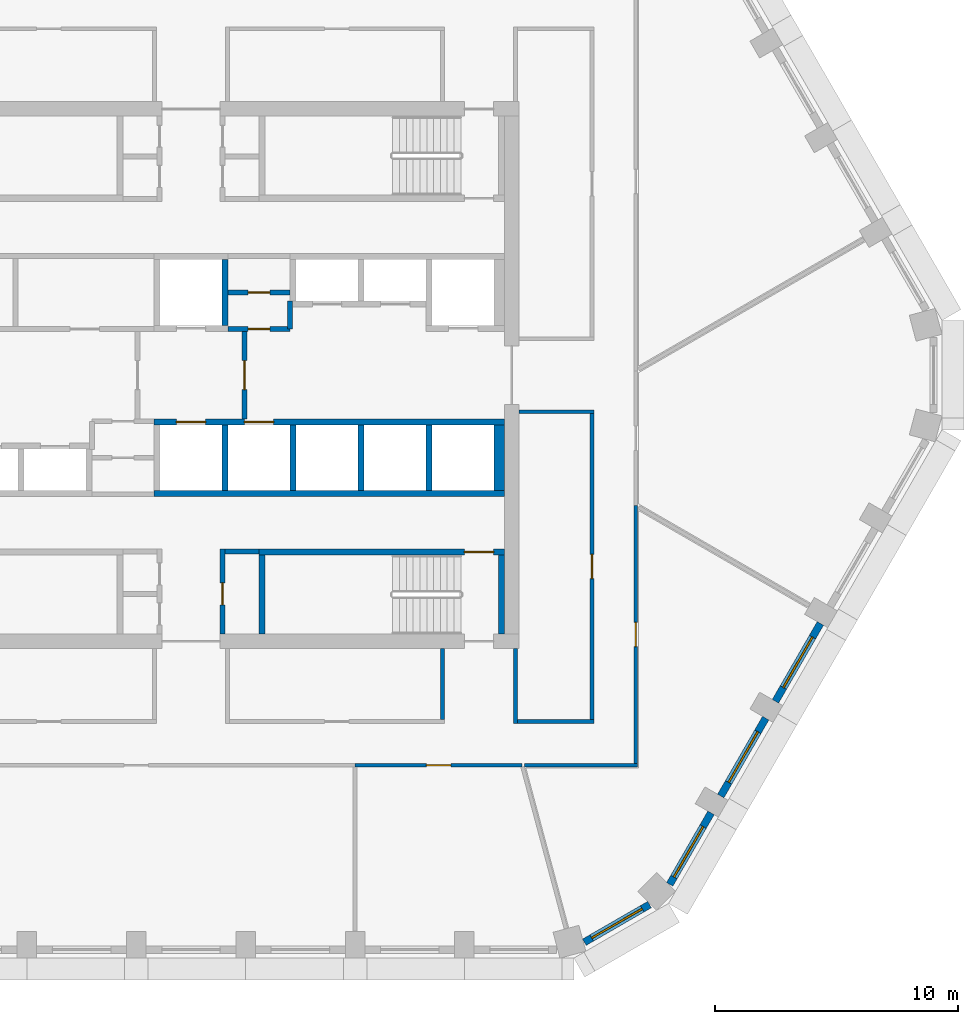
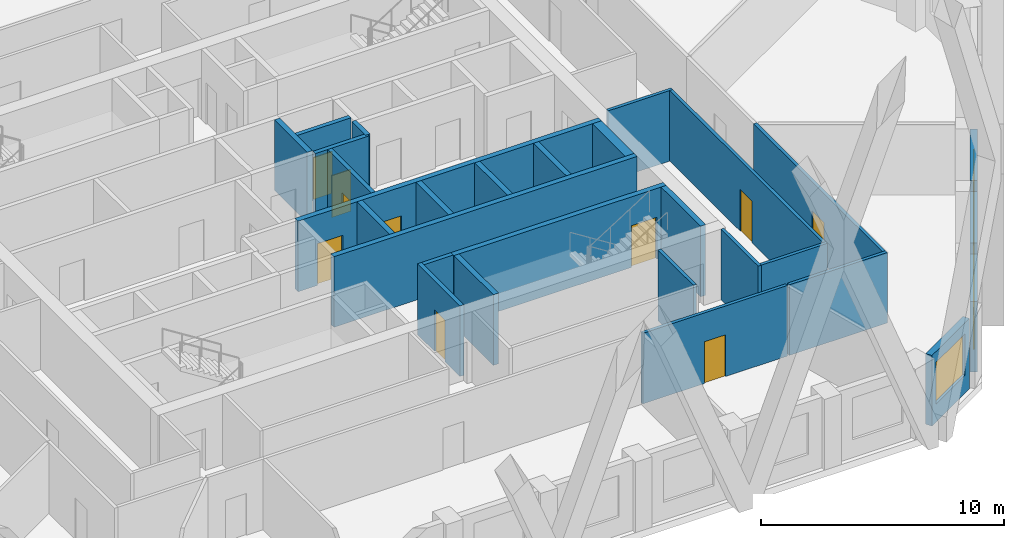
# One storey, part 4 of 16: 29 walls, 10 doors, 4 windows, 14 openings.
"""IFC4 building model written with IfcOpenShell, lengths in metres."""

from ifc_helpers import new_model, si_unit, direction, frame, frame_2d, origin, place, context, subcontext, project, spatial, polyline, rectangle, outline, extrude, material, layer, layer_set, type_object, element, fill, save


model = new_model("IFC4")

# Units and contexts
model_context = context("Model", 3, precision=1e-05, world=origin(), true_north=direction((0.0, 1.0)))
body_context = subcontext(model_context, "Body", "Model", "MODEL_VIEW")
ifc_project = project(units=[si_unit("LENGTHUNIT", "METRE"), si_unit("AREAUNIT", "SQUARE_METRE"), si_unit("VOLUMEUNIT", "CUBIC_METRE"), si_unit("PLANEANGLEUNIT", "RADIAN"), si_unit("MASSUNIT", "GRAM", prefix="KILO")], contexts=[model_context])

# Site, building, storey
site_placement = place(None, origin())
site = spatial("IfcSite", under=ifc_project, at=site_placement, CompositionType="ELEMENT")
building_placement = place(site_placement, origin())
building = spatial("IfcBuilding", under=site, at=building_placement, Name="Dhurran Vertical Campus", CompositionType="ELEMENT")
storey_placement = place(building_placement, frame((0.0, 0.0, 183.89990234375)))
storey = spatial("IfcBuildingStorey", under=building, at=storey_placement, Name="L45", CompositionType="ELEMENT", Elevation=183.89990234375)

# Wall, opening, window
ifc_material_1 = material(Name="Precast concrete C50/60", Category="concrete")
ifc_layer_1 = layer(ifc_material_1, 0.300048828125)
ifc_layer_set_1 = layer_set([ifc_layer_1], Name="Precast concrete C50/60")
wall_type_1 = type_object("IfcWallType", Name="Precast spandrel wall 300", PredefinedType="SOLIDWALL", material=ifc_layer_set_1)
wall_1_placement = place(storey_placement, frame((16.184326171875, -23.330810546875, 0.0), z_axis=(0.0, 0.0, 1.0), x_axis=(0.865994975416, 0.500052699777, 0.0)))
wall_1 = element("IfcWall", 1, at=wall_1_placement, inside=storey, type_object=wall_type_1, Name="EW1 L45.07", PredefinedType="SOLIDWALL", context=body_context, shape_type="SweptSolid", body=[
    extrude(rectangle(XDim=3.093017578125, YDim=0.300048828125, at=frame_2d((1.54638671875, 0.0))), origin(), (0.0, 0.0, 1.0), 3.550048828125),
])
opening_1_placement = place(wall_1_placement, frame((0.346435546875, 0.0, 0.89990234375)))
opening_1 = element("IfcOpeningElement", 2, at=opening_1_placement, cuts=wall_1, Name="Opening WT1", PredefinedType="OPENING", context=body_context, shape_type="SweptSolid", body=[
    extrude(rectangle(XDim=2.39990234375, YDim=2.10009765625, at=frame_2d((1.199951171875, 1.050048828125))), frame((0.0, 0.159912109375, 0.0), z_axis=(0.0, -1.0, 0.0), x_axis=(1.0, 0.0, 0.0)), (0.0, 0.0, 1.0), 0.320068359375),
])
ifc_material_2 = material(Name="Aluminium frame with solar-control glass", Category="aluminium")
window_type = type_object("IfcWindowType", Name="Punched window 2400 x 2100", PartitioningType="SINGLE_PANEL", PredefinedType="WINDOW", material=ifc_material_2)
window_1_placement = place(opening_1_placement, origin())
window_1 = element("IfcWindow", 3, at=window_1_placement, inside=storey, type_object=window_type, Name="WT1 L45.07", OverallHeight=2.10009765625, OverallWidth=2.39990234375, PartitioningType="SINGLE_PANEL", PredefinedType="WINDOW", context=body_context, shape_type="SweptSolid", body=[
    extrude(rectangle(XDim=2.39990234375, YDim=2.10009765625, at=frame_2d((1.199951171875, 1.050048828125))), frame((0.0, 0.030029296875, 0.0), z_axis=(0.0, -1.0, 0.0), x_axis=(1.0, 0.0, 0.0)), (0.0, 0.0, 1.0), 0.06005859375),
])
fill(opening_1, window_1)

wall_2_placement = place(storey_placement, frame((19.69580078125, -20.951171875, 0.0), z_axis=(0.0, 0.0, 1.0), x_axis=(0.500012868213, 0.866017974191, 0.0)))
wall_2 = element("IfcWall", 4, at=wall_2_placement, inside=storey, type_object=wall_type_1, Name="EW1 L45.08", PredefinedType="SOLIDWALL", context=body_context, shape_type="SweptSolid", body=[
    extrude(rectangle(XDim=3.39599609375, YDim=0.300048828125, at=frame_2d((1.697998046875, 0.0))), origin(), (0.0, 0.0, 1.0), 3.550048828125),
])
opening_2_placement = place(wall_2_placement, frame((0.346435546875, 0.0, 0.89990234375)))
opening_2 = element("IfcOpeningElement", 5, at=opening_2_placement, cuts=wall_2, Name="Opening WT1", PredefinedType="OPENING", context=body_context, shape_type="SweptSolid", body=[
    extrude(rectangle(XDim=2.39990234375, YDim=2.10009765625, at=frame_2d((1.199951171875, 1.050048828125))), frame((0.0, 0.159912109375, 0.0), z_axis=(0.0, -1.0, 0.0), x_axis=(1.0, 0.0, 0.0)), (0.0, 0.0, 1.0), 0.320068359375),
])
window_2_placement = place(opening_2_placement, origin())
window_2 = element("IfcWindow", 6, at=window_2_placement, inside=storey, type_object=window_type, Name="WT1 L45.08", OverallHeight=2.10009765625, OverallWidth=2.39990234375, PartitioningType="SINGLE_PANEL", PredefinedType="WINDOW", context=body_context, shape_type="SweptSolid", body=[
    extrude(rectangle(XDim=2.39990234375, YDim=2.10009765625, at=frame_2d((1.199951171875, 1.050048828125))), frame((0.0, 0.030029296875, 0.0), z_axis=(0.0, -1.0, 0.0), x_axis=(1.0, 0.0, 0.0)), (0.0, 0.0, 1.0), 0.06005859375),
])
fill(opening_2, window_2)

wall_3_placement = place(storey_placement, frame((21.794189453125, -17.316650390625, 0.0), z_axis=(0.0, 0.0, 1.0), x_axis=(0.500029062817, 0.866008623709, 0.0)))
wall_3 = element("IfcWall", 7, at=wall_3_placement, inside=storey, type_object=wall_type_1, Name="EW1 L45.09", PredefinedType="SOLIDWALL", context=body_context, shape_type="SweptSolid", body=[
    extrude(rectangle(XDim=3.698974609375, YDim=0.300048828125, at=frame_2d((1.849609375, 0.0))), origin(), (0.0, 0.0, 1.0), 3.550048828125),
])
opening_3_placement = place(wall_3_placement, frame((0.6494140625, 0.0, 0.89990234375)))
opening_3 = element("IfcOpeningElement", 8, at=opening_3_placement, cuts=wall_3, Name="Opening WT1", PredefinedType="OPENING", context=body_context, shape_type="SweptSolid", body=[
    extrude(rectangle(XDim=2.39990234375, YDim=2.10009765625, at=frame_2d((1.199951171875, 1.050048828125))), frame((0.0, 0.159912109375, 0.0), z_axis=(0.0, -1.0, 0.0), x_axis=(1.0, 0.0, 0.0)), (0.0, 0.0, 1.0), 0.320068359375),
])
window_3_placement = place(opening_3_placement, origin())
window_3 = element("IfcWindow", 9, at=window_3_placement, inside=storey, type_object=window_type, Name="WT1 L45.09", OverallHeight=2.10009765625, OverallWidth=2.39990234375, PartitioningType="SINGLE_PANEL", PredefinedType="WINDOW", context=body_context, shape_type="SweptSolid", body=[
    extrude(rectangle(XDim=2.39990234375, YDim=2.10009765625, at=frame_2d((1.199951171875, 1.050048828125))), frame((0.0, 0.030029296875, 0.0), z_axis=(0.0, -1.0, 0.0), x_axis=(1.0, 0.0, 0.0)), (0.0, 0.0, 1.0), 0.06005859375),
])
fill(opening_3, window_3)

wall_4_placement = place(storey_placement, frame((24.044189453125, -13.41943359375, 0.0), z_axis=(0.0, 0.0, 1.0), x_axis=(0.500029062817, 0.866008623709, 0.0)))
wall_4 = element("IfcWall", 10, at=wall_4_placement, inside=storey, type_object=wall_type_1, Name="EW1 L45.10", PredefinedType="SOLIDWALL", context=body_context, shape_type="SweptSolid", body=[
    extrude(rectangle(XDim=3.698974609375, YDim=0.300048828125, at=frame_2d((1.849609375, 0.0))), origin(), (0.0, 0.0, 1.0), 3.550048828125),
])
opening_4_placement = place(wall_4_placement, frame((0.6494140625, 0.0, 0.89990234375)))
opening_4 = element("IfcOpeningElement", 11, at=opening_4_placement, cuts=wall_4, Name="Opening WT1", PredefinedType="OPENING", context=body_context, shape_type="SweptSolid", body=[
    extrude(rectangle(XDim=2.39990234375, YDim=2.10009765625, at=frame_2d((1.199951171875, 1.050048828125))), frame((0.0, 0.159912109375, 0.0), z_axis=(0.0, -1.0, 0.0), x_axis=(1.0, 0.0, 0.0)), (0.0, 0.0, 1.0), 0.320068359375),
])
window_4_placement = place(opening_4_placement, origin())
window_4 = element("IfcWindow", 12, at=window_4_placement, inside=storey, type_object=window_type, Name="WT1 L45.10", OverallHeight=2.10009765625, OverallWidth=2.39990234375, PartitioningType="SINGLE_PANEL", PredefinedType="WINDOW", context=body_context, shape_type="SweptSolid", body=[
    extrude(rectangle(XDim=2.39990234375, YDim=2.10009765625, at=frame_2d((1.199951171875, 1.050048828125))), frame((0.0, 0.030029296875, 0.0), z_axis=(0.0, -1.0, 0.0), x_axis=(1.0, 0.0, 0.0)), (0.0, 0.0, 1.0), 0.06005859375),
])
fill(opening_4, window_4)

# Wall, opening, door
ifc_material_3 = material(Name="Fire-rated masonry blockwork", Category="masonry")
ifc_layer_2 = layer(ifc_material_3, 0.199951171875)
ifc_layer_set_2 = layer_set([ifc_layer_2], Name="Fire-rated masonry blockwork")
wall_type_2 = type_object("IfcWallType", Name="co-FIRE-PARTITION-200", PredefinedType="PARTITIONING", material=ifc_layer_set_2)
wall_5_placement = place(storey_placement, frame((2.199951171875, -1.800048828125, 0.0), z_axis=(0.0, 0.0, 1.0), x_axis=(0.0, 1.0, 0.0)))
wall_5 = element("IfcWall", 13, at=wall_5_placement, inside=storey, type_object=wall_type_2, Name="Firefighting lobby wall E L45", PredefinedType="PARTITIONING", context=body_context, shape_type="SweptSolid", body=[
    extrude(rectangle(XDim=3.60009765625, YDim=0.199951171875, at=frame_2d((1.800048828125, 0.0))), origin(), (0.0, 0.0, 1.0), 3.550048828125),
])
opening_5_placement = place(wall_5_placement, frame((1.199951171875, 0.0, 0.0)))
opening_5 = element("IfcOpeningElement", 14, at=opening_5_placement, cuts=wall_5, Name="Opening FL2", PredefinedType="OPENING", context=body_context, shape_type="SweptSolid", body=[
    extrude(rectangle(XDim=1.199951171875, YDim=2.10009765625, at=frame_2d((0.60009765625, 1.050048828125))), frame((0.0, 0.10986328125, 0.0), z_axis=(0.0, -1.0, 0.0), x_axis=(1.0, 0.0, 0.0)), (0.0, 0.0, 1.0), 0.219970703125),
])
ifc_material_4 = material(Name="Fire-rated steel door set", Category="steel")
door_type_1 = type_object("IfcDoorType", Name="co-D-FFLOBBY 1200x2100", OperationType="SINGLE_SWING_LEFT", PredefinedType="DOOR", material=ifc_material_4)
door_1_placement = place(opening_5_placement, origin())
door_1 = element("IfcDoor", 15, at=door_1_placement, inside=storey, type_object=door_type_1, Name="Firefighting lobby door E L45", OperationType="SINGLE_SWING_LEFT", OverallHeight=2.10009765625, OverallWidth=1.199951171875, PredefinedType="DOOR", context=body_context, shape_type="SweptSolid", body=[
    extrude(rectangle(XDim=1.199951171875, YDim=2.10009765625, at=frame_2d((0.60009765625, 1.050048828125))), frame((0.0, 0.02490234375, 0.0), z_axis=(0.0, -1.0, 0.0), x_axis=(1.0, 0.0, 0.0)), (0.0, 0.0, 1.0), 0.050048828125),
])
fill(opening_5, door_1)

# Wall
wall_6_placement = place(storey_placement, frame((1.39990234375, -7.25, 0.0), z_axis=(0.0, 0.0, 1.0), x_axis=(1.0, 0.0, 0.0)))
element("IfcWall", 16, at=wall_6_placement, inside=storey, type_object=wall_type_2, Name="Core partition sl-SE-S L45", PredefinedType="PARTITIONING", context=body_context, shape_type="SweptSolid", body=[
    extrude(rectangle(XDim=1.400146484375, YDim=0.199951171875, at=frame_2d((0.7001953125, 0.0))), origin(), (0.0, 0.0, 1.0), 3.550048828125),
])

# Wall, opening, door
wall_7_placement = place(storey_placement, frame((1.300048828125, -10.64990234375, 0.0), z_axis=(0.0, 0.0, 1.0), x_axis=(0.0, 1.0, 0.0)))
wall_7 = element("IfcWall", 17, at=wall_7_placement, inside=storey, type_object=wall_type_2, Name="Core partition vest-SE L45", PredefinedType="PARTITIONING", context=body_context, shape_type="SweptSolid", body=[
    extrude(rectangle(XDim=3.5, YDim=0.199951171875, at=frame_2d((1.75, 0.0))), origin(), (0.0, 0.0, 1.0), 3.550048828125),
])
opening_6_placement = place(wall_7_placement, frame((1.199951171875, 0.0, 0.0)))
opening_6 = element("IfcOpeningElement", 18, at=opening_6_placement, cuts=wall_7, Name="Opening T13-C3", PredefinedType="OPENING", context=body_context, shape_type="SweptSolid", body=[
    extrude(rectangle(XDim=0.89990234375, YDim=2.10009765625, at=frame_2d((0.449951171875, 1.050048828125))), frame((0.0, 0.10986328125, 0.0), z_axis=(0.0, -1.0, 0.0), x_axis=(1.0, 0.0, 0.0)), (0.0, 0.0, 1.0), 0.219970703125),
])
ifc_material_5 = material(Name="Fire-rated timber door set", Category="wood")
door_type_2 = type_object("IfcDoorType", Name="co-D-ROOM 900x2100", OperationType="SINGLE_SWING_LEFT", PredefinedType="DOOR", material=ifc_material_5)
door_2_placement = place(opening_6_placement, origin())
door_2 = element("IfcDoor", 19, at=door_2_placement, inside=storey, type_object=door_type_2, Name="Cleaner's store door L45", OperationType="SINGLE_SWING_LEFT", OverallHeight=2.10009765625, OverallWidth=0.89990234375, PredefinedType="DOOR", context=body_context, shape_type="SweptSolid", body=[
    extrude(rectangle(XDim=0.89990234375, YDim=2.10009765625, at=frame_2d((0.449951171875, 1.050048828125))), frame((0.0, 0.02490234375, 0.0), z_axis=(0.0, -1.0, 0.0), x_axis=(1.0, 0.0, 0.0)), (0.0, 0.0, 1.0), 0.050048828125),
])
fill(opening_6, door_2)

wall_8_placement = place(storey_placement, frame((1.52490234375, 3.39990234375, 0.0), z_axis=(0.0, 0.0, 1.0), x_axis=(1.0, 0.0, 0.0)))
wall_8 = element("IfcWall", 20, at=wall_8_placement, inside=storey, type_object=wall_type_2, Name="Core partition fr-N1-c L45", PredefinedType="PARTITIONING", context=body_context, shape_type="SweptSolid", body=[
    extrude(rectangle(XDim=2.550048828125, YDim=0.199951171875, at=frame_2d((1.27490234375, 0.0))), origin(), (0.0, 0.0, 1.0), 3.550048828125),
])
opening_7_placement = place(wall_8_placement, frame((0.824951171875, 0.0, 0.0)))
opening_7 = element("IfcOpeningElement", 21, at=opening_7_placement, cuts=wall_8, Name="Opening T13-C10", PredefinedType="OPENING", context=body_context, shape_type="SweptSolid", body=[
    extrude(rectangle(XDim=0.89990234375, YDim=2.10009765625, at=frame_2d((0.449951171875, 1.050048828125))), frame((0.0, 0.10986328125, 0.0), z_axis=(0.0, -1.0, 0.0), x_axis=(1.0, 0.0, 0.0)), (0.0, 0.0, 1.0), 0.219970703125),
])
door_3_placement = place(opening_7_placement, origin())
door_3 = element("IfcDoor", 22, at=door_3_placement, inside=storey, type_object=door_type_2, Name="Cleaner's store door L45", OperationType="SINGLE_SWING_LEFT", OverallHeight=2.10009765625, OverallWidth=0.89990234375, PredefinedType="DOOR", context=body_context, shape_type="SweptSolid", body=[
    extrude(rectangle(XDim=0.89990234375, YDim=2.10009765625, at=frame_2d((0.449951171875, 1.050048828125))), frame((0.0, 0.02490234375, 0.0), z_axis=(0.0, -1.0, 0.0), x_axis=(1.0, 0.0, 0.0)), (0.0, 0.0, 1.0), 0.050048828125),
])
fill(opening_7, door_3)

wall_9_placement = place(storey_placement, frame((1.52490234375, 1.89990234375, 0.0), z_axis=(0.0, 0.0, 1.0), x_axis=(1.0, 0.0, 0.0)))
wall_9 = element("IfcWall", 23, at=wall_9_placement, inside=storey, type_object=wall_type_2, Name="Core partition fr-N1-f L45", PredefinedType="PARTITIONING", context=body_context, shape_type="SweptSolid", body=[
    extrude(rectangle(XDim=2.550048828125, YDim=0.199951171875, at=frame_2d((1.27490234375, 0.0))), origin(), (0.0, 0.0, 1.0), 3.550048828125),
])
opening_8_placement = place(wall_9_placement, frame((0.824951171875, 0.0, 0.0)))
opening_8 = element("IfcOpeningElement", 24, at=opening_8_placement, cuts=wall_9, Name="Opening T13-C11", PredefinedType="OPENING", context=body_context, shape_type="SweptSolid", body=[
    extrude(rectangle(XDim=0.89990234375, YDim=2.10009765625, at=frame_2d((0.449951171875, 1.050048828125))), frame((0.0, 0.10986328125, 0.0), z_axis=(0.0, -1.0, 0.0), x_axis=(1.0, 0.0, 0.0)), (0.0, 0.0, 1.0), 0.219970703125),
])
door_4_placement = place(opening_8_placement, origin())
door_4 = element("IfcDoor", 25, at=door_4_placement, inside=storey, type_object=door_type_2, Name="Pantry door L45", OperationType="SINGLE_SWING_LEFT", OverallHeight=2.10009765625, OverallWidth=0.89990234375, PredefinedType="DOOR", context=body_context, shape_type="SweptSolid", body=[
    extrude(rectangle(XDim=0.89990234375, YDim=2.10009765625, at=frame_2d((0.449951171875, 1.050048828125))), frame((0.0, 0.02490234375, 0.0), z_axis=(0.0, -1.0, 0.0), x_axis=(1.0, 0.0, 0.0)), (0.0, 0.0, 1.0), 0.050048828125),
])
fill(opening_8, door_4)

# Wall
wall_10_placement = place(storey_placement, frame((4.074951171875, 1.89990234375, 0.0), z_axis=(0.0, 0.0, 1.0), x_axis=(0.0, 1.0, 0.0)))
element("IfcWall", 26, at=wall_10_placement, inside=storey, type_object=wall_type_2, Name="Core partition fr-N1-n1 L45", PredefinedType="PARTITIONING", context=body_context, shape_type="SweptSolid", body=[
    extrude(rectangle(XDim=1.150146484375, YDim=0.199951171875, at=frame_2d((0.5751953125, 0.0))), origin(), (0.0, 0.0, 1.0), 3.550048828125),
])

# Wall, openings, doors
ifc_material_6 = material(Name="Concrete C50/60", Category="concrete")
ifc_layer_3 = layer(ifc_material_6, 0.25)
ifc_layer_set_3 = layer_set([ifc_layer_3], Name="Concrete C50/60")
wall_type_3 = type_object("IfcWallType", Name="co-SHAFT-FRONT-250", PredefinedType="SHEAR", material=ifc_layer_set_3)
wall_11_placement = place(storey_placement, frame((-1.52490234375, -1.925048828125, 0.0), z_axis=(0.0, 0.0, 1.0), x_axis=(1.0, 0.0, 0.0)))
wall_11 = element("IfcWall", 27, at=wall_11_placement, inside=storey, type_object=wall_type_3, Name="Lift landing wall S L45", PredefinedType="SHEAR", context=body_context, shape_type="SweptSolid", body=[
    extrude(rectangle(XDim=14.4248046875, YDim=0.25, at=frame_2d((7.21240234375, 0.0))), origin(), (0.0, 0.0, 1.0), 3.550048828125),
])
opening_9_placement = place(wall_11_placement, frame((0.925048828125, 0.0, 0.0)))
opening_9 = element("IfcOpeningElement", 28, at=opening_9_placement, cuts=wall_11, Name="Opening LD", PredefinedType="OPENING", context=body_context, shape_type="SweptSolid", body=[
    extrude(rectangle(XDim=1.199951171875, YDim=2.10009765625, at=frame_2d((0.60009765625, 1.050048828125))), frame((0.0, 0.135009765625, 0.0), z_axis=(0.0, -1.0, 0.0), x_axis=(1.0, 0.0, 0.0)), (0.0, 0.0, 1.0), 0.27001953125),
])
opening_10_placement = place(wall_11_placement, frame((3.72509765625, 0.0, 0.0)))
opening_10 = element("IfcOpeningElement", 29, at=opening_10_placement, cuts=wall_11, Name="Opening LD", PredefinedType="OPENING", context=body_context, shape_type="SweptSolid", body=[
    extrude(rectangle(XDim=1.199951171875, YDim=2.10009765625, at=frame_2d((0.60009765625, 1.050048828125))), frame((0.0, 0.135009765625, 0.0), z_axis=(0.0, -1.0, 0.0), x_axis=(1.0, 0.0, 0.0)), (0.0, 0.0, 1.0), 0.27001953125),
])
ifc_material_7 = material(Name="Stainless steel landing door", Category="steel")
door_type_3 = type_object("IfcDoorType", Name="co-D-LANDING 1200x2100", OperationType="DOUBLE_DOOR_SLIDING", PredefinedType="DOOR", material=ifc_material_7)
door_5_placement = place(opening_9_placement, origin())
door_5 = element("IfcDoor", 30, at=door_5_placement, inside=storey, type_object=door_type_3, Name="Landing door FF2 L45", OperationType="DOUBLE_DOOR_SLIDING", OverallHeight=2.10009765625, OverallWidth=1.199951171875, PredefinedType="DOOR", context=body_context, shape_type="SweptSolid", body=[
    extrude(rectangle(XDim=1.199951171875, YDim=2.10009765625, at=frame_2d((0.60009765625, 1.050048828125))), frame((0.0, 0.02490234375, 0.0), z_axis=(0.0, -1.0, 0.0), x_axis=(1.0, 0.0, 0.0)), (0.0, 0.0, 1.0), 0.050048828125),
])
fill(opening_9, door_5)
door_6_placement = place(opening_10_placement, origin())
door_6 = element("IfcDoor", 31, at=door_6_placement, inside=storey, type_object=door_type_3, Name="Landing door SV1 L45", OperationType="DOUBLE_DOOR_SLIDING", OverallHeight=2.10009765625, OverallWidth=1.199951171875, PredefinedType="DOOR", context=body_context, shape_type="SweptSolid", body=[
    extrude(rectangle(XDim=1.199951171875, YDim=2.10009765625, at=frame_2d((0.60009765625, 1.050048828125))), frame((0.0, 0.02490234375, 0.0), z_axis=(0.0, -1.0, 0.0), x_axis=(1.0, 0.0, 0.0)), (0.0, 0.0, 1.0), 0.050048828125),
])
fill(opening_10, door_6)

# Walls
ifc_material_8 = material(Name="Concrete C50/60", Category="concrete")
ifc_layer_4 = layer(ifc_material_8, 0.25)
ifc_layer_set_4 = layer_set([ifc_layer_4], Name="Concrete C50/60")
wall_type_4 = type_object("IfcWallType", Name="co-SHAFT-MASS-250", PredefinedType="SHEAR", material=ifc_layer_set_4)
wall_12_placement = place(storey_placement, origin())
element("IfcWall", 32, at=wall_12_placement, inside=storey, type_object=wall_type_4, Name="Lift shaft wall N L45 4", PredefinedType="SHEAR", context=body_context, shape_type="SweptSolid", body=[
    extrude(outline(polyline([(1.27490234375, 2.050048828125), (1.52490234375, 2.050048828125), (1.52490234375, 4.75), (1.27490234375, 4.75), (1.27490234375, 2.050048828125)])), origin(), (0.0, 0.0, 1.0), 3.550048828125),
])
wall_13_placement = place(storey_placement, origin())
element("IfcWall", 33, at=wall_13_placement, inside=storey, type_object=wall_type_4, Name="Lift shaft wall S L45 2", PredefinedType="SHEAR", context=body_context, shape_type="SweptSolid", body=[
    extrude(outline(polyline([(-1.52490234375, -5.0), (12.89990234375, -5.0), (12.89990234375, -4.75), (-1.52490234375, -4.75), (-1.52490234375, -5.0)])), origin(), (0.0, 0.0, 1.0), 3.550048828125),
])
wall_14_placement = place(storey_placement, origin())
element("IfcWall", 34, at=wall_14_placement, inside=storey, type_object=wall_type_4, Name="Lift shaft wall S L45 8", PredefinedType="SHEAR", context=body_context, shape_type="SweptSolid", body=[
    extrude(outline(polyline([(1.27490234375, -4.75), (1.52490234375, -4.75), (1.52490234375, -2.050048828125), (1.27490234375, -2.050048828125), (1.27490234375, -4.75)])), origin(), (0.0, 0.0, 1.0), 3.550048828125),
])
wall_15_placement = place(storey_placement, origin())
element("IfcWall", 35, at=wall_15_placement, inside=storey, type_object=wall_type_4, Name="Lift shaft wall S L45 9", PredefinedType="SHEAR", context=body_context, shape_type="SweptSolid", body=[
    extrude(outline(polyline([(4.074951171875, -4.75), (4.324951171875, -4.75), (4.324951171875, -2.050048828125), (4.074951171875, -2.050048828125), (4.074951171875, -4.75)])), origin(), (0.0, 0.0, 1.0), 3.550048828125),
])
wall_16_placement = place(storey_placement, origin())
element("IfcWall", 36, at=wall_16_placement, inside=storey, type_object=wall_type_4, Name="Lift shaft wall S L45 10", PredefinedType="SHEAR", context=body_context, shape_type="SweptSolid", body=[
    extrude(outline(polyline([(6.875, -4.75), (7.125, -4.75), (7.125, -2.050048828125), (6.875, -2.050048828125), (6.875, -4.75)])), origin(), (0.0, 0.0, 1.0), 3.550048828125),
])
wall_17_placement = place(storey_placement, origin())
element("IfcWall", 37, at=wall_17_placement, inside=storey, type_object=wall_type_4, Name="Lift shaft wall S L45 11", PredefinedType="SHEAR", context=body_context, shape_type="SweptSolid", body=[
    extrude(outline(polyline([(9.675048828125, -4.75), (9.925048828125, -4.75), (9.925048828125, -2.050048828125), (9.675048828125, -2.050048828125), (9.675048828125, -4.75)])), origin(), (0.0, 0.0, 1.0), 3.550048828125),
])
wall_18_placement = place(storey_placement, origin())
element("IfcWall", 38, at=wall_18_placement, inside=storey, type_object=wall_type_4, Name="Lift shaft wall S L45 12", PredefinedType="SHEAR", context=body_context, shape_type="SweptSolid", body=[
    extrude(outline(polyline([(12.47509765625, -4.75), (12.89990234375, -4.75), (12.89990234375, -2.050048828125), (12.47509765625, -2.050048828125), (12.47509765625, -4.75)])), origin(), (0.0, 0.0, 1.0), 3.550048828125),
])

# Wall, opening, door
ifc_material_9 = material(Name="Concrete C40/50", Category="concrete")
ifc_layer_5 = layer(ifc_material_9, 0.25)
ifc_layer_set_5 = layer_set([ifc_layer_5], Name="Concrete C40/50")
wall_type_5 = type_object("IfcWallType", Name="co-STAIR-WALL-250", PredefinedType="SHEAR", material=ifc_layer_set_5)
wall_19_placement = place(storey_placement, frame((2.800048828125, -7.27490234375, 0.0), z_axis=(0.0, 0.0, 1.0), x_axis=(1.0, 0.0, 0.0)))
wall_19 = element("IfcWall", 39, at=wall_19_placement, inside=storey, type_object=wall_type_5, Name="Stair ST4 enclosure wall L45", PredefinedType="SHEAR", context=body_context, shape_type="SweptSolid", body=[
    extrude(rectangle(XDim=10.099853515625, YDim=0.25, at=frame_2d((5.0498046875, 0.0))), origin(), (0.0, 0.0, 1.0), 3.550048828125),
])
opening_11_placement = place(wall_19_placement, frame((8.449951171875, 0.0, 0.0)))
opening_11 = element("IfcOpeningElement", 40, at=opening_11_placement, cuts=wall_19, Name="Opening SD4", PredefinedType="OPENING", context=body_context, shape_type="SweptSolid", body=[
    extrude(rectangle(XDim=1.199951171875, YDim=2.10009765625, at=frame_2d((0.60009765625, 1.050048828125))), frame((0.0, 0.135009765625, 0.0), z_axis=(0.0, -1.0, 0.0), x_axis=(1.0, 0.0, 0.0)), (0.0, 0.0, 1.0), 0.27001953125),
])
ifc_material_10 = material(Name="Fire-rated steel door set", Category="steel")
door_type_4 = type_object("IfcDoorType", Name="co-D-STAIR 1200x2100", OperationType="SINGLE_SWING_LEFT", PredefinedType="DOOR", material=ifc_material_10)
door_7_placement = place(opening_11_placement, origin())
door_7 = element("IfcDoor", 41, at=door_7_placement, inside=storey, type_object=door_type_4, Name="Stair ST4 door L45", OperationType="SINGLE_SWING_LEFT", OverallHeight=2.10009765625, OverallWidth=1.199951171875, PredefinedType="DOOR", context=body_context, shape_type="SweptSolid", body=[
    extrude(rectangle(XDim=1.199951171875, YDim=2.10009765625, at=frame_2d((0.60009765625, 1.050048828125))), frame((0.0, 0.02490234375, 0.0), z_axis=(0.0, -1.0, 0.0), x_axis=(1.0, 0.0, 0.0)), (0.0, 0.0, 1.0), 0.050048828125),
])
fill(opening_11, door_7)

# Walls
for number, where, z_axis, x_axis, name in (
    (42, (2.925048828125, -10.64990234375, 0.0), (0.0, 0.0, 1.0), (0.0, 1.0, 0.0), "Stair ST4 enclosure wall L45"),
    (43, (12.77490234375, -10.64990234375, 0.0), (0.0, 0.0, 1.0), (0.0, 1.0, 0.0), "Stair ST4 enclosure wall L45"),
):
    element("IfcWall", number, at=place(storey_placement, frame(where, z_axis=z_axis, x_axis=x_axis)), inside=storey, type_object=wall_type_5, Name=name, PredefinedType="SHEAR", context=body_context, shape_type="SweptSolid", body=[
        extrude(rectangle(XDim=3.25, YDim=0.25, at=frame_2d((1.625, 0.0))), origin(), (0.0, 0.0, 1.0), 3.550048828125),
    ])

# Wall, opening, door
ifc_material_11 = material(Name="Gypsum board corridor wall on steel studs", Category="steel")
ifc_layer_6 = layer(ifc_material_11, 0.14990234375)
ifc_layer_set_6 = layer_set([ifc_layer_6], Name="Gypsum board corridor wall on steel studs")
wall_type_6 = type_object("IfcWallType", Name="fl-CW-150 corridor wall", PredefinedType="PARTITIONING", material=ifc_layer_set_6)
wall_20_placement = place(storey_placement, frame((6.75, -16.050048828125, 0.0), z_axis=(0.0, 0.0, 1.0), x_axis=(1.0, 0.0, 0.0)))
wall_20 = element("IfcWall", 44, at=wall_20_placement, inside=storey, type_object=wall_type_6, Name="Partition 45-39", PredefinedType="PARTITIONING", context=body_context, shape_type="SweptSolid", body=[
    extrude(rectangle(XDim=6.8740234375, YDim=0.14990234375, at=frame_2d((3.43701171875, 0.0))), origin(), (0.0, 0.0, 1.0), 3.550048828125),
])
opening_12_placement = place(wall_20_placement, frame((2.93701171875, 0.0, 0.0)))
opening_12 = element("IfcOpeningElement", 45, at=opening_12_placement, cuts=wall_20, Name="Opening T13.16", PredefinedType="OPENING", context=body_context, shape_type="SweptSolid", body=[
    extrude(rectangle(XDim=1.0, YDim=2.10009765625, at=frame_2d((0.5, 1.050048828125))), frame((0.0, 0.0849609375, 0.0), z_axis=(0.0, -1.0, 0.0), x_axis=(1.0, 0.0, 0.0)), (0.0, 0.0, 1.0), 0.169921875),
])
ifc_material_12 = material(Name="Solid-core timber door set, fire-rated", Category="wood")
door_type_5 = type_object("IfcDoorType", Name="fl-D-1000x2100", OperationType="SINGLE_SWING_LEFT", PredefinedType="DOOR", material=ifc_material_12)
door_8_placement = place(opening_12_placement, origin())
door_8 = element("IfcDoor", 46, at=door_8_placement, inside=storey, type_object=door_type_5, Name="Door 45.16", OperationType="SINGLE_SWING_LEFT", OverallHeight=2.10009765625, OverallWidth=1.0, PredefinedType="DOOR", context=body_context, shape_type="SweptSolid", body=[
    extrude(rectangle(XDim=1.0, YDim=2.10009765625, at=frame_2d((0.5, 1.050048828125))), frame((0.0, 0.02490234375, 0.0), z_axis=(0.0, -1.0, 0.0), x_axis=(1.0, 0.0, 0.0)), (0.0, 0.0, 1.0), 0.050048828125),
])
fill(opening_12, door_8)

# Walls
wall_21_placement = place(storey_placement, frame((10.35009765625, -11.25, 0.0), z_axis=(0.0, 0.0, 1.0), x_axis=(0.0, -1.0, 0.0)))
element("IfcWall", 47, at=wall_21_placement, inside=storey, type_object=wall_type_6, Name="Partition 45-42", PredefinedType="PARTITIONING", context=body_context, shape_type="SweptSolid", body=[
    extrude(rectangle(XDim=2.925048828125, YDim=0.14990234375, at=frame_2d((1.46240234375, 0.0))), origin(), (0.0, 0.0, 1.0), 3.550048828125),
])
wall_22_placement = place(storey_placement, frame((13.35009765625, -14.324951171875, 0.0), z_axis=(0.0, 0.0, 1.0), x_axis=(0.0, 1.0, 0.0)))
element("IfcWall", 48, at=wall_22_placement, inside=storey, type_object=wall_type_6, Name="Partition 45-44", PredefinedType="PARTITIONING", context=body_context, shape_type="SweptSolid", body=[
    extrude(rectangle(XDim=3.074951171875, YDim=0.14990234375, at=frame_2d((1.53759765625, 0.0))), origin(), (0.0, 0.0, 1.0), 3.550048828125),
])
wall_23_placement = place(storey_placement, frame((16.574951171875, -14.25, 0.0), z_axis=(0.0, 0.0, 1.0), x_axis=(-1.0, 0.0, 0.0)))
element("IfcWall", 49, at=wall_23_placement, inside=storey, type_object=wall_type_6, Name="Partition 45-45", PredefinedType="PARTITIONING", context=body_context, shape_type="SweptSolid", body=[
    extrude(rectangle(XDim=3.14990234375, YDim=0.14990234375, at=frame_2d((1.574951171875, 0.0))), origin(), (0.0, 0.0, 1.0), 3.550048828125),
])
wall_24_placement = place(storey_placement, frame((13.5, -1.5, 0.0), z_axis=(0.0, 0.0, 1.0), x_axis=(1.0, 0.0, 0.0)))
element("IfcWall", 50, at=wall_24_placement, inside=storey, type_object=wall_type_6, Name="Partition 45-48", PredefinedType="PARTITIONING", context=body_context, shape_type="SweptSolid", body=[
    extrude(rectangle(XDim=3.074951171875, YDim=0.14990234375, at=frame_2d((1.53759765625, 0.0))), origin(), (0.0, 0.0, 1.0), 3.550048828125),
])
wall_25_placement = place(storey_placement, frame((13.718994140625, -16.050048828125, 0.0), z_axis=(0.0, 0.0, 1.0), x_axis=(1.0, 0.0, 0.0)))
element("IfcWall", 51, at=wall_25_placement, inside=storey, type_object=wall_type_6, Name="Partition 45-51", PredefinedType="PARTITIONING", context=body_context, shape_type="SweptSolid", body=[
    extrude(rectangle(XDim=4.656005859375, YDim=0.14990234375, at=frame_2d((2.328125, 0.0))), origin(), (0.0, 0.0, 1.0), 3.550048828125),
])

# Wall, opening, door
wall_26_placement = place(storey_placement, frame((16.5, -1.574951171875, 0.0), z_axis=(0.0, 0.0, 1.0), x_axis=(0.0, -1.0, 0.0)))
wall_26 = element("IfcWall", 52, at=wall_26_placement, inside=storey, type_object=wall_type_6, Name="Partition 45-54", PredefinedType="PARTITIONING", context=body_context, shape_type="SweptSolid", body=[
    extrude(rectangle(XDim=12.60009765625, YDim=0.14990234375, at=frame_2d((6.300048828125, 0.0))), origin(), (0.0, 0.0, 1.0), 3.550048828125),
])
opening_13_placement = place(wall_26_placement, frame((5.800048828125, 0.0, 0.0)))
opening_13 = element("IfcOpeningElement", 53, at=opening_13_placement, cuts=wall_26, Name="Opening T13.18", PredefinedType="OPENING", context=body_context, shape_type="SweptSolid", body=[
    extrude(rectangle(XDim=1.0, YDim=2.10009765625, at=frame_2d((0.5, 1.050048828125))), frame((0.0, 0.0849609375, 0.0), z_axis=(0.0, -1.0, 0.0), x_axis=(1.0, 0.0, 0.0)), (0.0, 0.0, 1.0), 0.169921875),
])
door_9_placement = place(opening_13_placement, origin())
door_9 = element("IfcDoor", 54, at=door_9_placement, inside=storey, type_object=door_type_5, Name="Door 45.18", OperationType="SINGLE_SWING_LEFT", OverallHeight=2.10009765625, OverallWidth=1.0, PredefinedType="DOOR", context=body_context, shape_type="SweptSolid", body=[
    extrude(rectangle(XDim=1.0, YDim=2.10009765625, at=frame_2d((0.5, 1.050048828125))), frame((0.0, 0.02490234375, 0.0), z_axis=(0.0, -1.0, 0.0), x_axis=(1.0, 0.0, 0.0)), (0.0, 0.0, 1.0), 0.050048828125),
])
fill(opening_13, door_9)

wall_27_placement = place(storey_placement, frame((18.300048828125, -15.97509765625, 0.0), z_axis=(0.0, 0.0, 1.0), x_axis=(0.0, 1.0, 0.0)))
wall_27 = element("IfcWall", 55, at=wall_27_placement, inside=storey, type_object=wall_type_6, Name="Partition 45-56", PredefinedType="PARTITIONING", context=body_context, shape_type="SweptSolid", body=[
    extrude(rectangle(XDim=10.606201171875, YDim=0.14990234375, at=frame_2d((5.30322265625, 0.0))), origin(), (0.0, 0.0, 1.0), 3.550048828125),
])
opening_14_placement = place(wall_27_placement, frame((4.802978515625, 0.0, 0.0)))
opening_14 = element("IfcOpeningElement", 56, at=opening_14_placement, cuts=wall_27, Name="Opening T13.21", PredefinedType="OPENING", context=body_context, shape_type="SweptSolid", body=[
    extrude(rectangle(XDim=1.0, YDim=2.10009765625, at=frame_2d((0.5, 1.050048828125))), frame((0.0, 0.0849609375, 0.0), z_axis=(0.0, -1.0, 0.0), x_axis=(1.0, 0.0, 0.0)), (0.0, 0.0, 1.0), 0.169921875),
])
door_10_placement = place(opening_14_placement, origin())
door_10 = element("IfcDoor", 57, at=door_10_placement, inside=storey, type_object=door_type_5, Name="Door 45.21", OperationType="SINGLE_SWING_LEFT", OverallHeight=2.10009765625, OverallWidth=1.0, PredefinedType="DOOR", context=body_context, shape_type="SweptSolid", body=[
    extrude(rectangle(XDim=1.0, YDim=2.10009765625, at=frame_2d((0.5, 1.050048828125))), frame((0.0, 0.02490234375, 0.0), z_axis=(0.0, -1.0, 0.0), x_axis=(1.0, 0.0, 0.0)), (0.0, 0.0, 1.0), 0.050048828125),
])
fill(opening_14, door_10)

save(model, "model.ifc")
